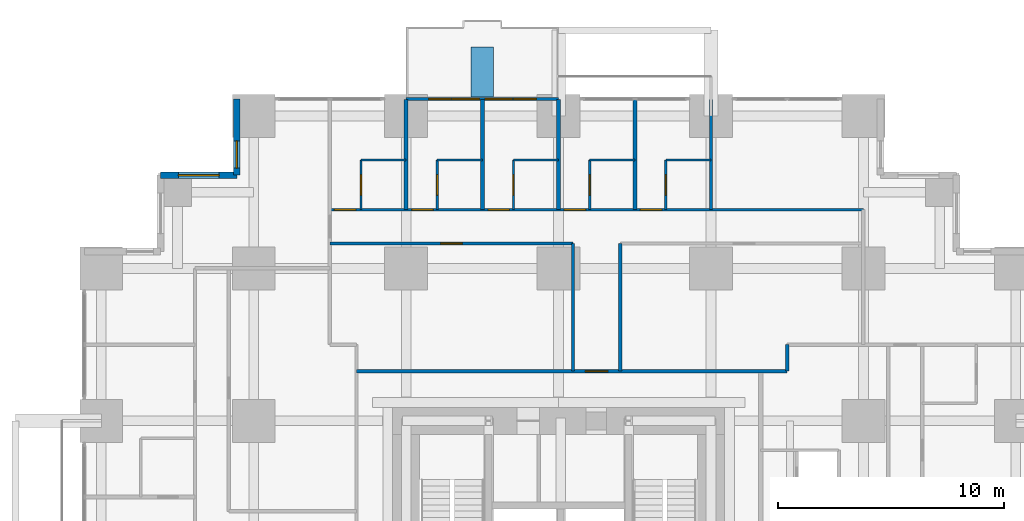
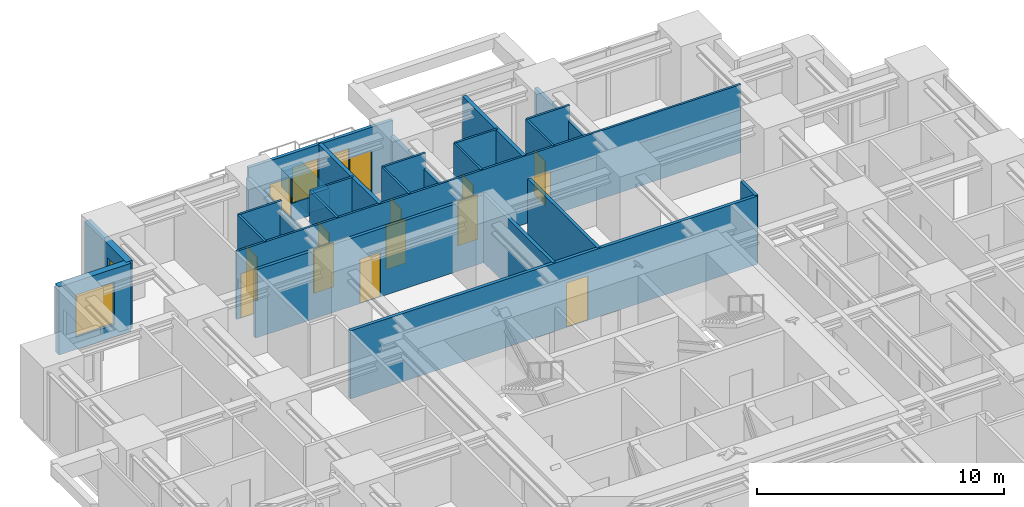
# One storey, part 12 of 14: 25 walls, 14 doors, 4 windows, 18 openings.
"""IFC4 building model written with IfcOpenShell, lengths in metres."""

from ifc_helpers import new_model, si_unit, direction, frame, frame_2d, origin, place, context, subcontext, project, spatial, rectangle, extrude, material, layer, layer_set, type_object, element, fill, save


model = new_model("IFC4")

# Units and contexts
model_context = context("Model", 3, precision=1e-05, world=origin(), true_north=direction((0.0, 1.0)))
body_context = subcontext(model_context, "Body", "Model", "MODEL_VIEW")
ifc_project = project(units=[si_unit("LENGTHUNIT", "METRE"), si_unit("AREAUNIT", "SQUARE_METRE"), si_unit("VOLUMEUNIT", "CUBIC_METRE"), si_unit("PLANEANGLEUNIT", "RADIAN"), si_unit("MASSUNIT", "GRAM", prefix="KILO")], contexts=[model_context])

# Site, building, storey
site_placement = place(None, origin())
site = spatial("IfcSite", under=ifc_project, at=site_placement, CompositionType="ELEMENT")
building_placement = place(site_placement, origin())
building = spatial("IfcBuilding", under=site, at=building_placement, Name="Nyansa Garden Tower", CompositionType="ELEMENT")
storey_placement = place(building_placement, frame((0.0, 0.0, 39.60009765625)))
storey = spatial("IfcBuildingStorey", under=building, at=storey_placement, Name="L10", CompositionType="ELEMENT", Elevation=39.60009765625)

# Walls
ifc_material_1 = material(Name="Dense blockwork, plastered both sides, 55 dB", Category="masonry")
ifc_layer_1 = layer(ifc_material_1, 0.175048828125)
ifc_layer_set_1 = layer_set([ifc_layer_1], Name="Acoustic party wall PW175")
wall_type_1 = type_object("IfcWallType", Name="Acoustic party wall PW175", PredefinedType="PARTITIONING", material=ifc_layer_set_1)
wall_1_placement = place(storey_placement, frame((13.5, 36.35009765625, 0.0), z_axis=(0.0, 0.0, 1.0), x_axis=(0.0, 1.0, 0.0)))
element("IfcWall", 1, at=wall_1_placement, inside=storey, type_object=wall_type_1, Name="Party wall", PredefinedType="PARTITIONING", context=body_context, shape_type="SweptSolid", body=[
    extrude(rectangle(XDim=4.8837890625, YDim=0.175048828125, at=frame_2d((2.44189453125, 0.0))), origin(), (0.0, 0.0, 1.0), 2.876953125),
])
wall_2_placement = place(storey_placement, frame((16.875, 36.35009765625, 0.0), z_axis=(0.0, 0.0, 1.0), x_axis=(0.0, 1.0, 0.0)))
element("IfcWall", 2, at=wall_2_placement, inside=storey, type_object=wall_type_1, Name="Party wall", PredefinedType="PARTITIONING", context=body_context, shape_type="SweptSolid", body=[
    extrude(rectangle(XDim=4.8837890625, YDim=0.175048828125, at=frame_2d((2.44189453125, 0.0))), origin(), (0.0, 0.0, 1.0), 3.375),
])
wall_3_placement = place(storey_placement, frame((20.25, 36.35009765625, 0.0), z_axis=(0.0, 0.0, 1.0), x_axis=(0.0, 1.0, 0.0)))
element("IfcWall", 3, at=wall_3_placement, inside=storey, type_object=wall_type_1, Name="Party wall", PredefinedType="PARTITIONING", context=body_context, shape_type="SweptSolid", body=[
    extrude(rectangle(XDim=4.8837890625, YDim=0.175048828125, at=frame_2d((2.44189453125, 0.0))), origin(), (0.0, 0.0, 1.0), 2.60986328125),
])
wall_4_placement = place(storey_placement, frame((23.625, 36.35009765625, 0.0), z_axis=(0.0, 0.0, 1.0), x_axis=(0.0, 1.0, 0.0)))
element("IfcWall", 4, at=wall_4_placement, inside=storey, type_object=wall_type_1, Name="Party wall", PredefinedType="PARTITIONING", context=body_context, shape_type="SweptSolid", body=[
    extrude(rectangle(XDim=4.8837890625, YDim=0.175048828125, at=frame_2d((2.44189453125, 0.0))), origin(), (0.0, 0.0, 1.0), 3.375),
])

# Wall, openings, doors, windows
ifc_material_2 = material(Name="Black aluminium framed glazed screen", Category="aluminium")
ifc_layer_2 = layer(ifc_material_2, 0.14990234375)
ifc_layer_set_2 = layer_set([ifc_layer_2], Name="Balcony screen wall BW150")
wall_type_2 = type_object("IfcWallType", Name="Balcony screen wall BW150", PredefinedType="SOLIDWALL", material=ifc_layer_set_2)
wall_5_placement = place(storey_placement, frame((13.5, 41.25, 0.0), z_axis=(0.0, 0.0, 1.0), x_axis=(1.0, 0.0, 0.0)))
wall_5 = element("IfcWall", 5, at=wall_5_placement, inside=storey, type_object=wall_type_2, Name="Glazed screen wall L10 N", PredefinedType="SOLIDWALL", context=body_context, shape_type="SweptSolid", body=[
    extrude(rectangle(XDim=6.75, YDim=0.14990234375, at=frame_2d((3.375, 0.0))), origin(), (0.0, 0.0, 1.0), 3.375),
])
opening_1_placement = place(wall_5_placement, frame((0.995849609375, 0.0, 0.0)))
opening_1 = element("IfcOpeningElement", 6, at=opening_1_placement, cuts=wall_5, Name="Opening D20", PredefinedType="OPENING", context=body_context, shape_type="SweptSolid", body=[
    extrude(rectangle(XDim=1.0, YDim=2.199951171875, at=frame_2d((0.5, 1.10009765625))), frame((0.0, 0.0849609375, 0.0), z_axis=(0.0, -1.0, 0.0), x_axis=(1.0, 0.0, 0.0)), (0.0, 0.0, 1.0), 0.169921875),
])
opening_2_placement = place(wall_5_placement, frame((2.041748046875, 0.0, 0.89990234375)))
opening_2 = element("IfcOpeningElement", 7, at=opening_2_placement, cuts=wall_5, Name="Opening W6", PredefinedType="OPENING", context=body_context, shape_type="SweptSolid", body=[
    extrude(rectangle(XDim=1.199951171875, YDim=1.800048828125, at=frame_2d((0.60009765625, 0.89990234375))), frame((0.0, 0.0849609375, 0.0), z_axis=(0.0, -1.0, 0.0), x_axis=(1.0, 0.0, 0.0)), (0.0, 0.0, 1.0), 0.169921875),
])
opening_3_placement = place(wall_5_placement, frame((4.754150390625, 0.0, 0.0)))
opening_3 = element("IfcOpeningElement", 8, at=opening_3_placement, cuts=wall_5, Name="Opening D20", PredefinedType="OPENING", context=body_context, shape_type="SweptSolid", body=[
    extrude(rectangle(XDim=1.0, YDim=2.199951171875, at=frame_2d((0.5, 1.10009765625))), frame((0.0, 0.0849609375, 0.0), z_axis=(0.0, -1.0, 0.0), x_axis=(1.0, 0.0, 0.0)), (0.0, 0.0, 1.0), 0.169921875),
])
opening_4_placement = place(wall_5_placement, frame((3.50830078125, 0.0, 0.89990234375)))
opening_4 = element("IfcOpeningElement", 9, at=opening_4_placement, cuts=wall_5, Name="Opening W6", PredefinedType="OPENING", context=body_context, shape_type="SweptSolid", body=[
    extrude(rectangle(XDim=1.199951171875, YDim=1.800048828125, at=frame_2d((0.60009765625, 0.89990234375))), frame((0.0, 0.0849609375, 0.0), z_axis=(0.0, -1.0, 0.0), x_axis=(1.0, 0.0, 0.0)), (0.0, 0.0, 1.0), 0.169921875),
])
ifc_material_3 = material(Name="Black aluminium framed glazed door", Category="aluminium")
door_type_1 = type_object("IfcDoorType", Name="Balcony door D20 1000x2200", OperationType="NOTDEFINED", PredefinedType="DOOR", material=ifc_material_3)
door_1_placement = place(opening_1_placement, origin())
door_1 = element("IfcDoor", 10, at=door_1_placement, inside=storey, type_object=door_type_1, Name="Balcony door L10", OperationType="SINGLE_SWING_LEFT", OverallHeight=2.199951171875, OverallWidth=1.0, PredefinedType="DOOR", context=body_context, shape_type="SweptSolid", body=[
    extrude(rectangle(XDim=1.0, YDim=2.199951171875, at=frame_2d((0.5, 1.10009765625))), frame((0.0, 0.02490234375, 0.0), z_axis=(0.0, -1.0, 0.0), x_axis=(1.0, 0.0, 0.0)), (0.0, 0.0, 1.0), 0.050048828125),
])
fill(opening_1, door_1)
door_2_placement = place(opening_3_placement, origin())
door_2 = element("IfcDoor", 11, at=door_2_placement, inside=storey, type_object=door_type_1, Name="Balcony door L10", OperationType="SINGLE_SWING_RIGHT", OverallHeight=2.199951171875, OverallWidth=1.0, PredefinedType="DOOR", context=body_context, shape_type="SweptSolid", body=[
    extrude(rectangle(XDim=1.0, YDim=2.199951171875, at=frame_2d((0.5, 1.10009765625))), frame((0.0, 0.02490234375, 0.0), z_axis=(0.0, -1.0, 0.0), x_axis=(1.0, 0.0, 0.0)), (0.0, 0.0, 1.0), 0.050048828125),
])
fill(opening_3, door_2)
ifc_material_4 = material(Name="Black aluminium frame, dark tinted double glazing", Category="aluminium")
window_type_1 = type_object("IfcWindowType", Name="Balcony window W6 1200x1800", PartitioningType="SINGLE_PANEL", PredefinedType="WINDOW", material=ifc_material_4)
window_1_placement = place(opening_2_placement, origin())
window_1 = element("IfcWindow", 12, at=window_1_placement, inside=storey, type_object=window_type_1, Name="Window L10", OverallHeight=1.800048828125, OverallWidth=1.199951171875, PartitioningType="SINGLE_PANEL", PredefinedType="WINDOW", context=body_context, shape_type="SweptSolid", body=[
    extrude(rectangle(XDim=1.199951171875, YDim=1.800048828125, at=frame_2d((0.60009765625, 0.89990234375))), frame((0.0, 0.030029296875, 0.0), z_axis=(0.0, -1.0, 0.0), x_axis=(1.0, 0.0, 0.0)), (0.0, 0.0, 1.0), 0.06005859375),
])
fill(opening_2, window_1)
window_2_placement = place(opening_4_placement, origin())
window_2 = element("IfcWindow", 13, at=window_2_placement, inside=storey, type_object=window_type_1, Name="Window L10", OverallHeight=1.800048828125, OverallWidth=1.199951171875, PartitioningType="SINGLE_PANEL", PredefinedType="WINDOW", context=body_context, shape_type="SweptSolid", body=[
    extrude(rectangle(XDim=1.199951171875, YDim=1.800048828125, at=frame_2d((0.60009765625, 0.89990234375))), frame((0.0, 0.030029296875, 0.0), z_axis=(0.0, -1.0, 0.0), x_axis=(1.0, 0.0, 0.0)), (0.0, 0.0, 1.0), 0.06005859375),
])
fill(opening_4, window_2)

# Wall, opening, door
ifc_material_5 = material(Name="Blockwork, plastered both sides", Category="masonry")
ifc_layer_3 = layer(ifc_material_5, 0.14990234375)
ifc_layer_set_3 = layer_set([ifc_layer_3], Name="Partition PW150")
wall_type_3 = type_object("IfcWallType", Name="Partition PW150", PredefinedType="PARTITIONING", material=ifc_layer_set_3)
wall_6_placement = place(storey_placement, frame((10.125, 34.85009765625, 0.0), z_axis=(0.0, 0.0, 1.0), x_axis=(1.0, 0.0, 0.0)))
wall_6 = element("IfcWall", 14, at=wall_6_placement, inside=storey, type_object=wall_type_3, Name="Partition", PredefinedType="PARTITIONING", context=body_context, shape_type="SweptSolid", body=[
    extrude(rectangle(XDim=10.762451171875, YDim=0.14990234375, at=frame_2d((5.38134765625, 0.0))), origin(), (0.0, 0.0, 1.0), 3.375),
])
opening_5_placement = place(wall_6_placement, frame((4.89990234375, 0.0, 0.0)))
opening_5 = element("IfcOpeningElement", 15, at=opening_5_placement, cuts=wall_6, Name="Opening D01", PredefinedType="OPENING", context=body_context, shape_type="SweptSolid", body=[
    extrude(rectangle(XDim=0.949951171875, YDim=2.199951171875, at=frame_2d((0.47509765625, 1.10009765625))), frame((0.0, 0.0849609375, 0.0), z_axis=(0.0, -1.0, 0.0), x_axis=(1.0, 0.0, 0.0)), (0.0, 0.0, 1.0), 0.169921875),
])
ifc_material_6 = material(Name="Timber flush door, 30 minute fire resisting", Category="wood")
door_type_2 = type_object("IfcDoorType", Name="Bedroom door D01 950x2200", OperationType="SINGLE_SWING_LEFT", PredefinedType="DOOR", material=ifc_material_6)
door_3_placement = place(opening_5_placement, origin())
door_3 = element("IfcDoor", 16, at=door_3_placement, inside=storey, type_object=door_type_2, Name="Door L10-056", OperationType="SINGLE_SWING_LEFT", OverallHeight=2.199951171875, OverallWidth=0.949951171875, PredefinedType="DOOR", context=body_context, shape_type="SweptSolid", body=[
    extrude(rectangle(XDim=0.949951171875, YDim=2.199951171875, at=frame_2d((0.47509765625, 1.10009765625))), frame((0.0, 0.02490234375, 0.0), z_axis=(0.0, -1.0, 0.0), x_axis=(1.0, 0.0, 0.0)), (0.0, 0.0, 1.0), 0.050048828125),
])
fill(opening_5, door_3)

wall_7_placement = place(storey_placement, frame((11.300048828125, 29.199951171875, 0.0), z_axis=(0.0, 0.0, 1.0), x_axis=(1.0, 0.0, 0.0)))
wall_7 = element("IfcWall", 17, at=wall_7_placement, inside=storey, type_object=wall_type_3, Name="Partition", PredefinedType="PARTITIONING", context=body_context, shape_type="SweptSolid", body=[
    extrude(rectangle(XDim=19.074951171875, YDim=0.14990234375, at=frame_2d((9.53759765625, 0.0))), origin(), (0.0, 0.0, 1.0), 3.375),
])
opening_6_placement = place(wall_7_placement, frame((10.137451171875, 0.0, 0.0)))
opening_6 = element("IfcOpeningElement", 18, at=opening_6_placement, cuts=wall_7, Name="Opening D03", PredefinedType="OPENING", context=body_context, shape_type="SweptSolid", body=[
    extrude(rectangle(XDim=1.0, YDim=2.199951171875, at=frame_2d((0.5, 1.10009765625))), frame((0.0, 0.0849609375, 0.0), z_axis=(0.0, -1.0, 0.0), x_axis=(1.0, 0.0, 0.0)), (0.0, 0.0, 1.0), 0.169921875),
])
ifc_material_7 = material(Name="Timber flush door, 60 minute fire resisting", Category="wood")
door_type_3 = type_object("IfcDoorType", Name="Cluster entrance door D03 1000x2200", OperationType="SINGLE_SWING_LEFT", PredefinedType="DOOR", material=ifc_material_7)
door_4_placement = place(opening_6_placement, origin())
door_4 = element("IfcDoor", 19, at=door_4_placement, inside=storey, type_object=door_type_3, Name="Door L10-055", OperationType="SINGLE_SWING_LEFT", OverallHeight=2.199951171875, OverallWidth=1.0, PredefinedType="DOOR", context=body_context, shape_type="SweptSolid", body=[
    extrude(rectangle(XDim=1.0, YDim=2.199951171875, at=frame_2d((0.5, 1.10009765625))), frame((0.0, 0.02490234375, 0.0), z_axis=(0.0, -1.0, 0.0), x_axis=(1.0, 0.0, 0.0)), (0.0, 0.0, 1.0), 0.050048828125),
])
fill(opening_6, door_4)

# Walls
for number, where, z_axis, x_axis, name in (
    (20, (20.886962890625, 29.199951171875, 0.0), (0.0, 0.0, 1.0), (0.0, 1.0, 0.0), "Partition"),
    (21, (22.988037109375, 29.199951171875, 0.0), (0.0, 0.0, 1.0), (0.0, 1.0, 0.0), "Partition"),
):
    element("IfcWall", number, at=place(storey_placement, frame(where, z_axis=z_axis, x_axis=x_axis)), inside=storey, type_object=wall_type_3, Name=name, PredefinedType="PARTITIONING", context=body_context, shape_type="SweptSolid", body=[
        extrude(rectangle(XDim=5.650146484375, YDim=0.14990234375, at=frame_2d((2.8251953125, 0.0))), origin(), (0.0, 0.0, 1.0), 3.375),
    ])
wall_8_placement = place(storey_placement, frame((27.0, 36.35009765625, 0.0), z_axis=(0.0, 0.0, 1.0), x_axis=(0.0, 1.0, 0.0)))
element("IfcWall", 22, at=wall_8_placement, inside=storey, type_object=wall_type_3, Name="Partition", PredefinedType="PARTITIONING", context=body_context, shape_type="SweptSolid", body=[
    extrude(rectangle(XDim=4.8837890625, YDim=0.14990234375, at=frame_2d((2.44189453125, 0.0))), origin(), (0.0, 0.0, 1.0), 2.60986328125),
])
wall_9_placement = place(storey_placement, frame((30.375, 29.199951171875, 0.0), z_axis=(0.0, 0.0, 1.0), x_axis=(0.0, 1.0, 0.0)))
element("IfcWall", 23, at=wall_9_placement, inside=storey, type_object=wall_type_3, Name="Partition", PredefinedType="PARTITIONING", context=body_context, shape_type="SweptSolid", body=[
    extrude(rectangle(XDim=1.175048828125, YDim=0.14990234375, at=frame_2d((0.58740234375, 0.0))), origin(), (0.0, 0.0, 1.0), 3.375),
])

# Wall, opening, window
ifc_material_8 = material(Name="Turquoise glazed tile on concrete blockwork", Category="masonry")
ifc_layer_4 = layer(ifc_material_8, 0.300048828125)
ifc_layer_set_4 = layer_set([ifc_layer_4], Name="Tiled corner wall TW300")
wall_type_4 = type_object("IfcWallType", Name="Tiled corner wall TW300", PredefinedType="SOLIDWALL", material=ifc_layer_set_4)
wall_10_placement = place(storey_placement, frame((6.0, 41.25, 0.0), z_axis=(0.0, 0.0, 1.0), x_axis=(0.0, -1.0, 0.0)))
wall_10 = element("IfcWall", 24, at=wall_10_placement, inside=storey, type_object=wall_type_4, Name="Tiled corner wall L10", PredefinedType="SOLIDWALL", context=body_context, shape_type="SweptSolid", body=[
    extrude(rectangle(XDim=3.375, YDim=0.300048828125, at=frame_2d((1.6875, 0.0))), origin(), (0.0, 0.0, 1.0), 3.375),
])
opening_7_placement = place(wall_10_placement, frame((1.857421875, 0.0, 0.89990234375)))
opening_7 = element("IfcOpeningElement", 25, at=opening_7_placement, cuts=wall_10, Name="Opening W4", PredefinedType="OPENING", context=body_context, shape_type="SweptSolid", body=[
    extrude(rectangle(XDim=1.199951171875, YDim=1.800048828125, at=frame_2d((0.60009765625, 0.89990234375))), frame((0.0, 0.159912109375, 0.0), z_axis=(0.0, -1.0, 0.0), x_axis=(1.0, 0.0, 0.0)), (0.0, 0.0, 1.0), 0.320068359375),
])
ifc_material_9 = material(Name="Black aluminium frame, dark tinted double glazing", Category="aluminium")
window_type_2 = type_object("IfcWindowType", Name="Window W4 1200x1800", PartitioningType="SINGLE_PANEL", PredefinedType="WINDOW", material=ifc_material_9)
window_3_placement = place(opening_7_placement, origin())
window_3 = element("IfcWindow", 26, at=window_3_placement, inside=storey, type_object=window_type_2, Name="Corner window L10", OverallHeight=1.800048828125, OverallWidth=1.199951171875, PartitioningType="SINGLE_PANEL", PredefinedType="WINDOW", context=body_context, shape_type="SweptSolid", body=[
    extrude(rectangle(XDim=1.199951171875, YDim=1.800048828125, at=frame_2d((0.60009765625, 0.89990234375))), frame((0.0, 0.030029296875, 0.0), z_axis=(0.0, -1.0, 0.0), x_axis=(1.0, 0.0, 0.0)), (0.0, 0.0, 1.0), 0.06005859375),
])
fill(opening_7, window_3)

wall_11_placement = place(storey_placement, frame((6.0, 37.875, 0.0), z_axis=(0.0, 0.0, 1.0), x_axis=(-1.0, 0.0, 0.0)))
wall_11 = element("IfcWall", 27, at=wall_11_placement, inside=storey, type_object=wall_type_4, Name="Tiled corner wall L10", PredefinedType="SOLIDWALL", context=body_context, shape_type="SweptSolid", body=[
    extrude(rectangle(XDim=3.375, YDim=0.300048828125, at=frame_2d((1.6875, 0.0))), origin(), (0.0, 0.0, 1.0), 3.375),
])
opening_8_placement = place(wall_11_placement, frame((0.78759765625, 0.0, 0.60009765625)))
opening_8 = element("IfcOpeningElement", 28, at=opening_8_placement, cuts=wall_11, Name="Opening W2", PredefinedType="OPENING", context=body_context, shape_type="SweptSolid", body=[
    extrude(rectangle(XDim=1.800048828125, YDim=2.10009765625, at=frame_2d((0.89990234375, 1.050048828125))), frame((0.0, 0.159912109375, 0.0), z_axis=(0.0, -1.0, 0.0), x_axis=(1.0, 0.0, 0.0)), (0.0, 0.0, 1.0), 0.320068359375),
])
ifc_material_10 = material(Name="Black aluminium frame, dark tinted double glazing", Category="aluminium")
window_type_3 = type_object("IfcWindowType", Name="Window W2 1800x2100", PartitioningType="SINGLE_PANEL", PredefinedType="WINDOW", material=ifc_material_10)
window_4_placement = place(opening_8_placement, origin())
window_4 = element("IfcWindow", 29, at=window_4_placement, inside=storey, type_object=window_type_3, Name="Corner window L10", OverallHeight=2.10009765625, OverallWidth=1.800048828125, PartitioningType="SINGLE_PANEL", PredefinedType="WINDOW", context=body_context, shape_type="SweptSolid", body=[
    extrude(rectangle(XDim=1.800048828125, YDim=2.10009765625, at=frame_2d((0.89990234375, 1.050048828125))), frame((0.0, 0.030029296875, 0.0), z_axis=(0.0, -1.0, 0.0), x_axis=(1.0, 0.0, 0.0)), (0.0, 0.0, 1.0), 0.06005859375),
])
fill(opening_8, window_4)

# Wall
ifc_material_11 = material(Name="Concrete C40/50 planter, waterproofed", Category="concrete")
ifc_layer_5 = layer(ifc_material_11, 1.0)
ifc_layer_set_5 = layer_set([ifc_layer_5], Name="Tree planter TP1")
wall_type_5 = type_object("IfcWallType", Name="Tree planter TP1", PredefinedType="USERDEFINED", material=ifc_layer_set_5)
wall_12_placement = place(storey_placement, frame((16.875, 41.35009765625, 0.0), z_axis=(0.0, 0.0, 1.0), x_axis=(0.0, 1.0, 0.0)))
element("IfcWall", 30, at=wall_12_placement, inside=storey, type_object=wall_type_5, Name="Tree planter L10", ObjectType="TREE PLANTER", PredefinedType="USERDEFINED", context=body_context, shape_type="SweptSolid", body=[
    extrude(rectangle(XDim=2.199951171875, YDim=1.0, at=frame_2d((1.10009765625, 0.0))), origin(), (0.0, 0.0, 1.0), 0.89990234375),
])

# Wall, openings, doors
ifc_material_12 = material(Name="Moisture resistant board on steel studs, tiled", Category="steel")
ifc_layer_6 = layer(ifc_material_12, 0.10009765625)
ifc_layer_set_6 = layer_set([ifc_layer_6], Name="Wet wall PW100")
wall_type_6 = type_object("IfcWallType", Name="Wet wall PW100", PredefinedType="PARTITIONING", material=ifc_layer_set_6)
wall_13_placement = place(storey_placement, frame((10.125, 36.35009765625, 0.0), z_axis=(0.0, 0.0, 1.0), x_axis=(1.0, 0.0, 0.0)))
wall_13 = element("IfcWall", 31, at=wall_13_placement, inside=storey, type_object=wall_type_6, Name="Wet wall", PredefinedType="PARTITIONING", context=body_context, shape_type="SweptSolid", body=[
    extrude(rectangle(XDim=23.625, YDim=0.10009765625, at=frame_2d((11.8125, 0.0))), origin(), (0.0, 0.0, 1.0), 3.375),
])
opening_9_placement = place(wall_13_placement, frame((0.199951171875, 0.0, 0.0)))
opening_9 = element("IfcOpeningElement", 32, at=opening_9_placement, cuts=wall_13, Name="Opening D14", PredefinedType="OPENING", context=body_context, shape_type="SweptSolid", body=[
    extrude(rectangle(XDim=0.949951171875, YDim=2.199951171875, at=frame_2d((0.47509765625, 1.10009765625))), frame((0.0, 0.06005859375, 0.0), z_axis=(0.0, -1.0, 0.0), x_axis=(1.0, 0.0, 0.0)), (0.0, 0.0, 1.0), 0.1201171875),
])
opening_10_placement = place(wall_13_placement, frame((3.625, 0.0, 0.0)))
opening_10 = element("IfcOpeningElement", 33, at=opening_10_placement, cuts=wall_13, Name="Opening D14", PredefinedType="OPENING", context=body_context, shape_type="SweptSolid", body=[
    extrude(rectangle(XDim=0.949951171875, YDim=2.199951171875, at=frame_2d((0.47509765625, 1.10009765625))), frame((0.0, 0.06005859375, 0.0), z_axis=(0.0, -1.0, 0.0), x_axis=(1.0, 0.0, 0.0)), (0.0, 0.0, 1.0), 0.1201171875),
])
opening_11_placement = place(wall_13_placement, frame((7.0, 0.0, 0.0)))
opening_11 = element("IfcOpeningElement", 34, at=opening_11_placement, cuts=wall_13, Name="Opening D14", PredefinedType="OPENING", context=body_context, shape_type="SweptSolid", body=[
    extrude(rectangle(XDim=0.949951171875, YDim=2.199951171875, at=frame_2d((0.47509765625, 1.10009765625))), frame((0.0, 0.06005859375, 0.0), z_axis=(0.0, -1.0, 0.0), x_axis=(1.0, 0.0, 0.0)), (0.0, 0.0, 1.0), 0.1201171875),
])
opening_12_placement = place(wall_13_placement, frame((10.375, 0.0, 0.0)))
opening_12 = element("IfcOpeningElement", 35, at=opening_12_placement, cuts=wall_13, Name="Opening D14", PredefinedType="OPENING", context=body_context, shape_type="SweptSolid", body=[
    extrude(rectangle(XDim=0.949951171875, YDim=2.199951171875, at=frame_2d((0.47509765625, 1.10009765625))), frame((0.0, 0.06005859375, 0.0), z_axis=(0.0, -1.0, 0.0), x_axis=(1.0, 0.0, 0.0)), (0.0, 0.0, 1.0), 0.1201171875),
])
opening_13_placement = place(wall_13_placement, frame((13.75, 0.0, 0.0)))
opening_13 = element("IfcOpeningElement", 36, at=opening_13_placement, cuts=wall_13, Name="Opening D14", PredefinedType="OPENING", context=body_context, shape_type="SweptSolid", body=[
    extrude(rectangle(XDim=0.949951171875, YDim=2.199951171875, at=frame_2d((0.47509765625, 1.10009765625))), frame((0.0, 0.06005859375, 0.0), z_axis=(0.0, -1.0, 0.0), x_axis=(1.0, 0.0, 0.0)), (0.0, 0.0, 1.0), 0.1201171875),
])
ifc_material_13 = material(Name="Timber flush door, 60 minute fire resisting, self-closing", Category="wood")
door_type_4 = type_object("IfcDoorType", Name="Studio entrance door D14 950x2200", OperationType="SINGLE_SWING_LEFT", PredefinedType="DOOR", material=ifc_material_13)
door_5_placement = place(opening_9_placement, origin())
door_5 = element("IfcDoor", 37, at=door_5_placement, inside=storey, type_object=door_type_4, Name="Door L10-045", OperationType="SINGLE_SWING_LEFT", OverallHeight=2.199951171875, OverallWidth=0.949951171875, PredefinedType="DOOR", context=body_context, shape_type="SweptSolid", body=[
    extrude(rectangle(XDim=0.949951171875, YDim=2.199951171875, at=frame_2d((0.47509765625, 1.10009765625))), frame((0.0, 0.02490234375, 0.0), z_axis=(0.0, -1.0, 0.0), x_axis=(1.0, 0.0, 0.0)), (0.0, 0.0, 1.0), 0.050048828125),
])
fill(opening_9, door_5)
door_6_placement = place(opening_10_placement, origin())
door_6 = element("IfcDoor", 38, at=door_6_placement, inside=storey, type_object=door_type_4, Name="Door L10-047", OperationType="SINGLE_SWING_LEFT", OverallHeight=2.199951171875, OverallWidth=0.949951171875, PredefinedType="DOOR", context=body_context, shape_type="SweptSolid", body=[
    extrude(rectangle(XDim=0.949951171875, YDim=2.199951171875, at=frame_2d((0.47509765625, 1.10009765625))), frame((0.0, 0.02490234375, 0.0), z_axis=(0.0, -1.0, 0.0), x_axis=(1.0, 0.0, 0.0)), (0.0, 0.0, 1.0), 0.050048828125),
])
fill(opening_10, door_6)
door_7_placement = place(opening_11_placement, origin())
door_7 = element("IfcDoor", 39, at=door_7_placement, inside=storey, type_object=door_type_4, Name="Door L10-049", OperationType="SINGLE_SWING_LEFT", OverallHeight=2.199951171875, OverallWidth=0.949951171875, PredefinedType="DOOR", context=body_context, shape_type="SweptSolid", body=[
    extrude(rectangle(XDim=0.949951171875, YDim=2.199951171875, at=frame_2d((0.47509765625, 1.10009765625))), frame((0.0, 0.02490234375, 0.0), z_axis=(0.0, -1.0, 0.0), x_axis=(1.0, 0.0, 0.0)), (0.0, 0.0, 1.0), 0.050048828125),
])
fill(opening_11, door_7)
door_8_placement = place(opening_12_placement, origin())
door_8 = element("IfcDoor", 40, at=door_8_placement, inside=storey, type_object=door_type_4, Name="Door L10-051", OperationType="SINGLE_SWING_LEFT", OverallHeight=2.199951171875, OverallWidth=0.949951171875, PredefinedType="DOOR", context=body_context, shape_type="SweptSolid", body=[
    extrude(rectangle(XDim=0.949951171875, YDim=2.199951171875, at=frame_2d((0.47509765625, 1.10009765625))), frame((0.0, 0.02490234375, 0.0), z_axis=(0.0, -1.0, 0.0), x_axis=(1.0, 0.0, 0.0)), (0.0, 0.0, 1.0), 0.050048828125),
])
fill(opening_12, door_8)
door_9_placement = place(opening_13_placement, origin())
door_9 = element("IfcDoor", 41, at=door_9_placement, inside=storey, type_object=door_type_4, Name="Door L10-053", OperationType="SINGLE_SWING_LEFT", OverallHeight=2.199951171875, OverallWidth=0.949951171875, PredefinedType="DOOR", context=body_context, shape_type="SweptSolid", body=[
    extrude(rectangle(XDim=0.949951171875, YDim=2.199951171875, at=frame_2d((0.47509765625, 1.10009765625))), frame((0.0, 0.02490234375, 0.0), z_axis=(0.0, -1.0, 0.0), x_axis=(1.0, 0.0, 0.0)), (0.0, 0.0, 1.0), 0.050048828125),
])
fill(opening_13, door_9)

# Wall, opening, door
wall_14_placement = place(storey_placement, frame((11.5, 36.35009765625, 0.0), z_axis=(0.0, 0.0, 1.0), x_axis=(0.0, 1.0, 0.0)))
wall_14 = element("IfcWall", 42, at=wall_14_placement, inside=storey, type_object=wall_type_6, Name="Wet wall", PredefinedType="PARTITIONING", context=body_context, shape_type="SweptSolid", body=[
    extrude(rectangle(XDim=2.199951171875, YDim=0.10009765625, at=frame_2d((1.10009765625, 0.0))), origin(), (0.0, 0.0, 1.0), 3.375),
])
opening_14_placement = place(wall_14_placement, frame((0.64990234375, 0.0, 0.0)))
opening_14 = element("IfcOpeningElement", 43, at=opening_14_placement, cuts=wall_14, Name="Opening D02", PredefinedType="OPENING", context=body_context, shape_type="SweptSolid", body=[
    extrude(rectangle(XDim=0.89990234375, YDim=2.199951171875, at=frame_2d((0.449951171875, 1.10009765625))), frame((0.0, 0.06005859375, 0.0), z_axis=(0.0, -1.0, 0.0), x_axis=(1.0, 0.0, 0.0)), (0.0, 0.0, 1.0), 0.1201171875),
])
ifc_material_14 = material(Name="Timber flush door", Category="wood")
door_type_5 = type_object("IfcDoorType", Name="En-suite door D02 900x2200", OperationType="SINGLE_SWING_RIGHT", PredefinedType="DOOR", material=ifc_material_14)
door_10_placement = place(opening_14_placement, origin())
door_10 = element("IfcDoor", 44, at=door_10_placement, inside=storey, type_object=door_type_5, Name="Door L10-046", OperationType="SINGLE_SWING_RIGHT", OverallHeight=2.199951171875, OverallWidth=0.89990234375, PredefinedType="DOOR", context=body_context, shape_type="SweptSolid", body=[
    extrude(rectangle(XDim=0.89990234375, YDim=2.199951171875, at=frame_2d((0.449951171875, 1.10009765625))), frame((0.0, 0.02490234375, 0.0), z_axis=(0.0, -1.0, 0.0), x_axis=(1.0, 0.0, 0.0)), (0.0, 0.0, 1.0), 0.050048828125),
])
fill(opening_14, door_10)

# Wall
wall_15_placement = place(storey_placement, frame((11.5, 38.550048828125, 0.0), z_axis=(0.0, 0.0, 1.0), x_axis=(1.0, 0.0, 0.0)))
element("IfcWall", 45, at=wall_15_placement, inside=storey, type_object=wall_type_6, Name="Wet wall", PredefinedType="PARTITIONING", context=body_context, shape_type="SweptSolid", body=[
    extrude(rectangle(XDim=2.0, YDim=0.10009765625, at=frame_2d((1.0, 0.0))), origin(), (0.0, 0.0, 1.0), 3.375),
])

# Wall, opening, door
wall_16_placement = place(storey_placement, frame((14.875, 36.35009765625, 0.0), z_axis=(0.0, 0.0, 1.0), x_axis=(0.0, 1.0, 0.0)))
wall_16 = element("IfcWall", 46, at=wall_16_placement, inside=storey, type_object=wall_type_6, Name="Wet wall", PredefinedType="PARTITIONING", context=body_context, shape_type="SweptSolid", body=[
    extrude(rectangle(XDim=2.199951171875, YDim=0.10009765625, at=frame_2d((1.10009765625, 0.0))), origin(), (0.0, 0.0, 1.0), 3.375),
])
opening_15_placement = place(wall_16_placement, frame((0.64990234375, 0.0, 0.0)))
opening_15 = element("IfcOpeningElement", 47, at=opening_15_placement, cuts=wall_16, Name="Opening D02", PredefinedType="OPENING", context=body_context, shape_type="SweptSolid", body=[
    extrude(rectangle(XDim=0.89990234375, YDim=2.199951171875, at=frame_2d((0.449951171875, 1.10009765625))), frame((0.0, 0.06005859375, 0.0), z_axis=(0.0, -1.0, 0.0), x_axis=(1.0, 0.0, 0.0)), (0.0, 0.0, 1.0), 0.1201171875),
])
door_11_placement = place(opening_15_placement, origin())
door_11 = element("IfcDoor", 48, at=door_11_placement, inside=storey, type_object=door_type_5, Name="Door L10-048", OperationType="SINGLE_SWING_RIGHT", OverallHeight=2.199951171875, OverallWidth=0.89990234375, PredefinedType="DOOR", context=body_context, shape_type="SweptSolid", body=[
    extrude(rectangle(XDim=0.89990234375, YDim=2.199951171875, at=frame_2d((0.449951171875, 1.10009765625))), frame((0.0, 0.02490234375, 0.0), z_axis=(0.0, -1.0, 0.0), x_axis=(1.0, 0.0, 0.0)), (0.0, 0.0, 1.0), 0.050048828125),
])
fill(opening_15, door_11)

# Wall
wall_17_placement = place(storey_placement, frame((14.875, 38.550048828125, 0.0), z_axis=(0.0, 0.0, 1.0), x_axis=(1.0, 0.0, 0.0)))
element("IfcWall", 49, at=wall_17_placement, inside=storey, type_object=wall_type_6, Name="Wet wall", PredefinedType="PARTITIONING", context=body_context, shape_type="SweptSolid", body=[
    extrude(rectangle(XDim=2.0, YDim=0.10009765625, at=frame_2d((1.0, 0.0))), origin(), (0.0, 0.0, 1.0), 3.375),
])

# Wall, opening, door
wall_18_placement = place(storey_placement, frame((18.25, 36.35009765625, 0.0), z_axis=(0.0, 0.0, 1.0), x_axis=(0.0, 1.0, 0.0)))
wall_18 = element("IfcWall", 50, at=wall_18_placement, inside=storey, type_object=wall_type_6, Name="Wet wall", PredefinedType="PARTITIONING", context=body_context, shape_type="SweptSolid", body=[
    extrude(rectangle(XDim=2.199951171875, YDim=0.10009765625, at=frame_2d((1.10009765625, 0.0))), origin(), (0.0, 0.0, 1.0), 3.375),
])
opening_16_placement = place(wall_18_placement, frame((0.64990234375, 0.0, 0.0)))
opening_16 = element("IfcOpeningElement", 51, at=opening_16_placement, cuts=wall_18, Name="Opening D02", PredefinedType="OPENING", context=body_context, shape_type="SweptSolid", body=[
    extrude(rectangle(XDim=0.89990234375, YDim=2.199951171875, at=frame_2d((0.449951171875, 1.10009765625))), frame((0.0, 0.06005859375, 0.0), z_axis=(0.0, -1.0, 0.0), x_axis=(1.0, 0.0, 0.0)), (0.0, 0.0, 1.0), 0.1201171875),
])
door_12_placement = place(opening_16_placement, origin())
door_12 = element("IfcDoor", 52, at=door_12_placement, inside=storey, type_object=door_type_5, Name="Door L10-050", OperationType="SINGLE_SWING_RIGHT", OverallHeight=2.199951171875, OverallWidth=0.89990234375, PredefinedType="DOOR", context=body_context, shape_type="SweptSolid", body=[
    extrude(rectangle(XDim=0.89990234375, YDim=2.199951171875, at=frame_2d((0.449951171875, 1.10009765625))), frame((0.0, 0.02490234375, 0.0), z_axis=(0.0, -1.0, 0.0), x_axis=(1.0, 0.0, 0.0)), (0.0, 0.0, 1.0), 0.050048828125),
])
fill(opening_16, door_12)

# Wall
wall_19_placement = place(storey_placement, frame((18.25, 38.550048828125, 0.0), z_axis=(0.0, 0.0, 1.0), x_axis=(1.0, 0.0, 0.0)))
element("IfcWall", 53, at=wall_19_placement, inside=storey, type_object=wall_type_6, Name="Wet wall", PredefinedType="PARTITIONING", context=body_context, shape_type="SweptSolid", body=[
    extrude(rectangle(XDim=2.0, YDim=0.10009765625, at=frame_2d((1.0, 0.0))), origin(), (0.0, 0.0, 1.0), 3.375),
])

# Wall, opening, door
wall_20_placement = place(storey_placement, frame((21.625, 36.35009765625, 0.0), z_axis=(0.0, 0.0, 1.0), x_axis=(0.0, 1.0, 0.0)))
wall_20 = element("IfcWall", 54, at=wall_20_placement, inside=storey, type_object=wall_type_6, Name="Wet wall", PredefinedType="PARTITIONING", context=body_context, shape_type="SweptSolid", body=[
    extrude(rectangle(XDim=2.199951171875, YDim=0.10009765625, at=frame_2d((1.10009765625, 0.0))), origin(), (0.0, 0.0, 1.0), 3.375),
])
opening_17_placement = place(wall_20_placement, frame((0.64990234375, 0.0, 0.0)))
opening_17 = element("IfcOpeningElement", 55, at=opening_17_placement, cuts=wall_20, Name="Opening D02", PredefinedType="OPENING", context=body_context, shape_type="SweptSolid", body=[
    extrude(rectangle(XDim=0.89990234375, YDim=2.199951171875, at=frame_2d((0.449951171875, 1.10009765625))), frame((0.0, 0.06005859375, 0.0), z_axis=(0.0, -1.0, 0.0), x_axis=(1.0, 0.0, 0.0)), (0.0, 0.0, 1.0), 0.1201171875),
])
door_13_placement = place(opening_17_placement, origin())
door_13 = element("IfcDoor", 56, at=door_13_placement, inside=storey, type_object=door_type_5, Name="Door L10-052", OperationType="SINGLE_SWING_RIGHT", OverallHeight=2.199951171875, OverallWidth=0.89990234375, PredefinedType="DOOR", context=body_context, shape_type="SweptSolid", body=[
    extrude(rectangle(XDim=0.89990234375, YDim=2.199951171875, at=frame_2d((0.449951171875, 1.10009765625))), frame((0.0, 0.02490234375, 0.0), z_axis=(0.0, -1.0, 0.0), x_axis=(1.0, 0.0, 0.0)), (0.0, 0.0, 1.0), 0.050048828125),
])
fill(opening_17, door_13)

# Wall
wall_21_placement = place(storey_placement, frame((21.625, 38.550048828125, 0.0), z_axis=(0.0, 0.0, 1.0), x_axis=(1.0, 0.0, 0.0)))
element("IfcWall", 57, at=wall_21_placement, inside=storey, type_object=wall_type_6, Name="Wet wall", PredefinedType="PARTITIONING", context=body_context, shape_type="SweptSolid", body=[
    extrude(rectangle(XDim=2.0, YDim=0.10009765625, at=frame_2d((1.0, 0.0))), origin(), (0.0, 0.0, 1.0), 3.375),
])

# Wall, opening, door
wall_22_placement = place(storey_placement, frame((25.0, 36.35009765625, 0.0), z_axis=(0.0, 0.0, 1.0), x_axis=(0.0, 1.0, 0.0)))
wall_22 = element("IfcWall", 58, at=wall_22_placement, inside=storey, type_object=wall_type_6, Name="Wet wall", PredefinedType="PARTITIONING", context=body_context, shape_type="SweptSolid", body=[
    extrude(rectangle(XDim=2.199951171875, YDim=0.10009765625, at=frame_2d((1.10009765625, 0.0))), origin(), (0.0, 0.0, 1.0), 3.375),
])
opening_18_placement = place(wall_22_placement, frame((0.64990234375, 0.0, 0.0)))
opening_18 = element("IfcOpeningElement", 59, at=opening_18_placement, cuts=wall_22, Name="Opening D02", PredefinedType="OPENING", context=body_context, shape_type="SweptSolid", body=[
    extrude(rectangle(XDim=0.89990234375, YDim=2.199951171875, at=frame_2d((0.449951171875, 1.10009765625))), frame((0.0, 0.06005859375, 0.0), z_axis=(0.0, -1.0, 0.0), x_axis=(1.0, 0.0, 0.0)), (0.0, 0.0, 1.0), 0.1201171875),
])
door_14_placement = place(opening_18_placement, origin())
door_14 = element("IfcDoor", 60, at=door_14_placement, inside=storey, type_object=door_type_5, Name="Door L10-054", OperationType="SINGLE_SWING_RIGHT", OverallHeight=2.199951171875, OverallWidth=0.89990234375, PredefinedType="DOOR", context=body_context, shape_type="SweptSolid", body=[
    extrude(rectangle(XDim=0.89990234375, YDim=2.199951171875, at=frame_2d((0.449951171875, 1.10009765625))), frame((0.0, 0.02490234375, 0.0), z_axis=(0.0, -1.0, 0.0), x_axis=(1.0, 0.0, 0.0)), (0.0, 0.0, 1.0), 0.050048828125),
])
fill(opening_18, door_14)

# Wall
wall_23_placement = place(storey_placement, frame((25.0, 38.550048828125, 0.0), z_axis=(0.0, 0.0, 1.0), x_axis=(1.0, 0.0, 0.0)))
element("IfcWall", 61, at=wall_23_placement, inside=storey, type_object=wall_type_6, Name="Wet wall", PredefinedType="PARTITIONING", context=body_context, shape_type="SweptSolid", body=[
    extrude(rectangle(XDim=2.0, YDim=0.10009765625, at=frame_2d((1.0, 0.0))), origin(), (0.0, 0.0, 1.0), 3.375),
])

save(model, "model.ifc")
